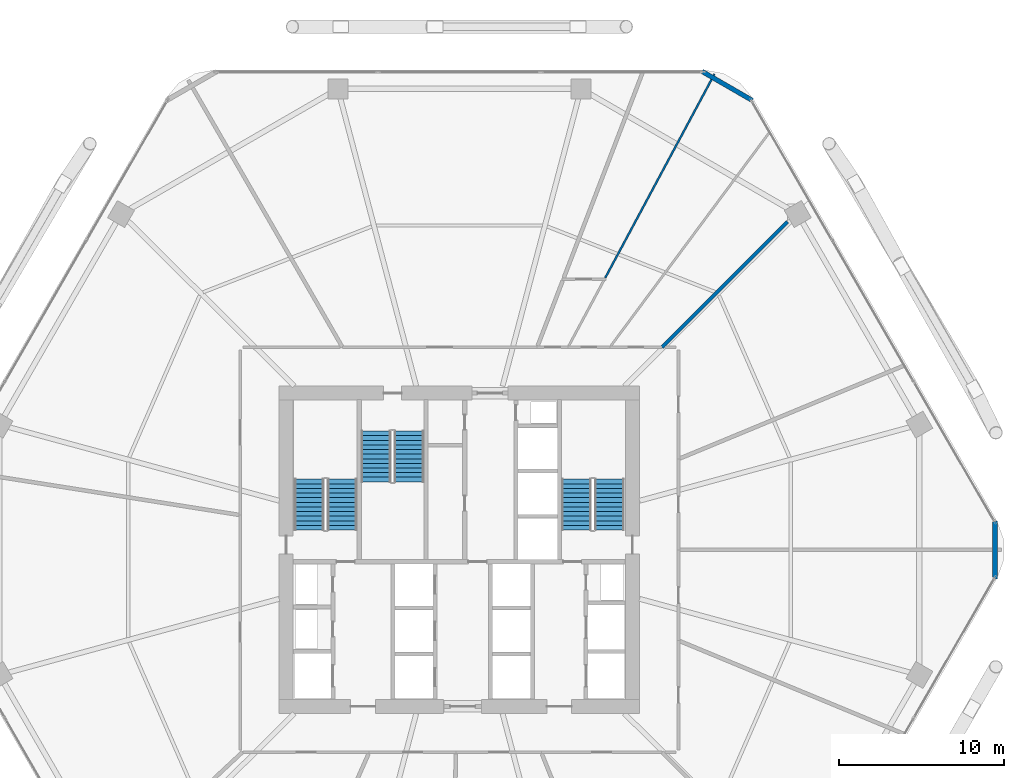
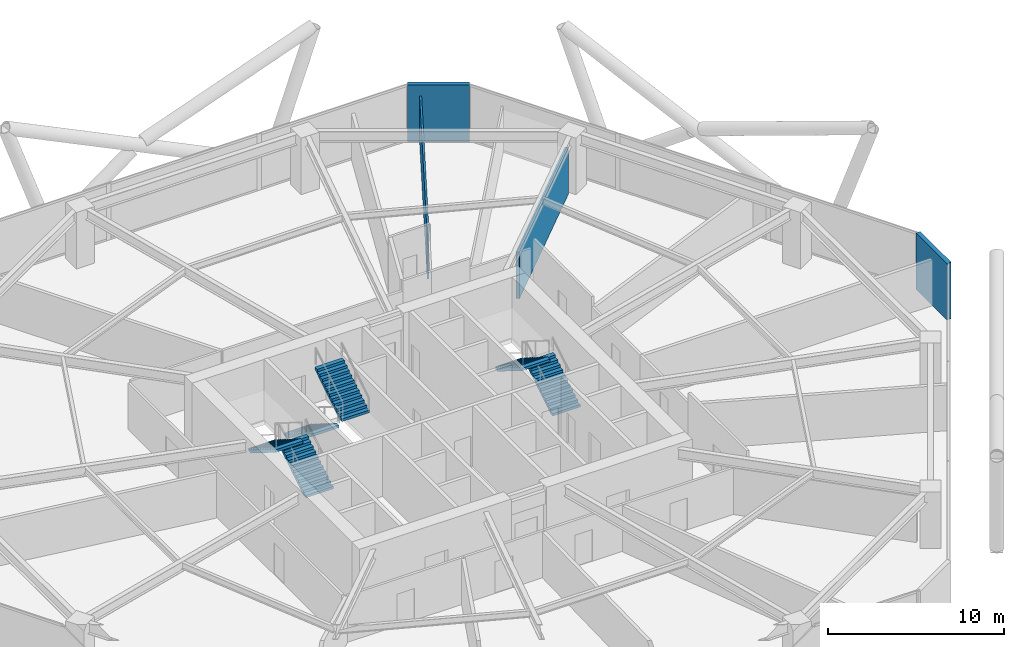
# One storey, part 27 of 28: 6 stair flights, 4 walls, 3 elements without a shape of their own.
"""IFC4 building model written with IfcOpenShell, lengths in metres."""

import ifcopenshell
import ifcopenshell.guid

model = None  # the IFC model being written
_history = None  # IfcOwnerHistory: only IFC2X3 demands one
_inside = {}  # id of a spatial element -> (the spatial element, [elements in it])
_under = {}  # id of a project, library or spatial element -> (it, [spatial elements below it])
_declared = {}  # id of a project -> (the project, [libraries it declares])
_typed = {}  # id of a type object -> (the type object, [elements of that type])
_made_of = {}  # id of a material, layer set ... -> (it, [elements and type objects made of it])


def new_model(schema):
    """Start an empty IFC model of exactly this schema.

    Asked for "IFC4X3", IfcOpenShell would pick the latest addendum, in which some entities
    have other attributes; the version numbers below select the first issue.
    IFC2X3 requires an IfcOwnerHistory on every rooted entity: one is made here for all.
    """
    global model, _history
    if schema == "IFC4X3":
        model = ifcopenshell.file(schema_version=(4, 3, 0, 0))
    else:
        model = ifcopenshell.file(schema=schema)
    _inside.clear()
    _under.clear()
    _declared.clear()
    _typed.clear()
    _made_of.clear()
    _history = None
    if model.schema == "IFC2X3":
        org = make("IfcOrganization", Name="unknown")
        user = make(
            "IfcPersonAndOrganization",
            ThePerson=make("IfcPerson", FamilyName="unknown"),
            TheOrganization=org,
        )
        app = make(
            "IfcApplication",
            ApplicationDeveloper=org,
            Version="unknown",
            ApplicationFullName="unknown",
            ApplicationIdentifier="unknown",
        )
        _history = make(
            "IfcOwnerHistory",
            OwningUser=user,
            OwningApplication=app,
            ChangeAction="ADDED",
            CreationDate=0,
        )
    return model


def make(cls, **values):
    """One entity of the class cls with the attributes given. An attribute that is None is left unset."""
    return model.create_entity(
        cls, **{name: value for name, value in values.items() if value is not None}
    )


def rooted(cls, **values):
    """An entity with a GlobalId (a new one), such as an element, a storey or a relation."""
    return make(cls, GlobalId=ifcopenshell.guid.new(), OwnerHistory=_history, **values)


def si_unit(unit_type, name, prefix=None):
    """IfcSIUnit, for example si_unit("LENGTHUNIT", "METRE", prefix="MILLI")."""
    return make("IfcSIUnit", UnitType=unit_type, Prefix=prefix, Name=name)


def assignment(units):
    """IfcUnitAssignment: the units of a project."""
    return None if units is None else make("IfcUnitAssignment", Units=units)


def point(xyz):
    """IfcCartesianPoint."""
    return None if xyz is None else make("IfcCartesianPoint", Coordinates=xyz)


def direction(xyz):
    """IfcDirection."""
    return None if xyz is None else make("IfcDirection", DirectionRatios=xyz)


def frame(location, z_axis=None, x_axis=None):
    """IfcAxis2Placement3D, a coordinate frame: its origin and axes. An axis left out is left unset."""
    return make(
        "IfcAxis2Placement3D",
        Location=point(location),
        Axis=direction(z_axis),
        RefDirection=direction(x_axis),
    )


def frame_2d(location, x_axis=None):
    """IfcAxis2Placement2D, a coordinate frame in the plane: its origin and x axis."""
    return make(
        "IfcAxis2Placement2D", Location=point(location), RefDirection=direction(x_axis)
    )


def origin():
    """The frame at (0, 0, 0) with its axes left unset."""
    return frame((0.0, 0.0, 0.0))


def place(relative_to, where):
    """IfcLocalPlacement: puts the frame where relative to a parent placement (None: the world)."""
    return make(
        "IfcLocalPlacement", PlacementRelTo=relative_to, RelativePlacement=where
    )


def context(
    kind, dimensions, precision=None, world=None, true_north=None, identifier=None
):
    """IfcGeometricRepresentationContext, for example the 3D "Model" context."""
    return make(
        "IfcGeometricRepresentationContext",
        ContextIdentifier=identifier,
        ContextType=kind,
        CoordinateSpaceDimension=dimensions,
        Precision=precision,
        WorldCoordinateSystem=world,
        TrueNorth=true_north,
    )


def subcontext(parent, identifier, kind, view, scale=None):
    """IfcGeometricRepresentationSubContext, for example "Body" below "Model"."""
    return make(
        "IfcGeometricRepresentationSubContext",
        ContextIdentifier=identifier,
        ContextType=kind,
        ParentContext=parent,
        TargetScale=scale,
        TargetView=view,
    )


def project(units=None, contexts=None):
    """IfcProject with its units and contexts."""
    return rooted(
        "IfcProject",
        Name="project",
        RepresentationContexts=contexts,
        UnitsInContext=assignment(units),
    )


def spatial(cls, under=None, at=None, **own):
    """A site, building, storey or space (cls), placed at a placement, below another one or the project."""
    s = rooted(cls, ObjectPlacement=at, **own)
    if under is not None:
        _under.setdefault(under.id(), (under, []))[1].append(s)
    return s


def polyline(points):
    """IfcPolyline through the points."""
    return make("IfcPolyline", Points=[point(p) for p in points])


def profile(cls, at=None, kind="AREA", **sizes):
    """A parametric profile (cls). Its sizes go by their IFC names, for example OverallWidth=200.0."""
    return make(cls, ProfileType=kind, Position=at, **sizes)


def rectangle(**sizes):
    """IfcRectangleProfileDef."""
    return profile("IfcRectangleProfileDef", **sizes)


def outline(outer, holes=None, kind="AREA"):
    """IfcArbitraryClosedProfileDef: a profile drawn as a closed curve; with holes, ...WithVoids."""
    if holes is None:
        return make("IfcArbitraryClosedProfileDef", ProfileType=kind, OuterCurve=outer)
    return make(
        "IfcArbitraryProfileDefWithVoids",
        ProfileType=kind,
        OuterCurve=outer,
        InnerCurves=holes,
    )


def extrude(swept, where, along, depth):
    """IfcExtrudedAreaSolid: the profile swept, set in the frame where, extruded along a direction by depth."""
    return make(
        "IfcExtrudedAreaSolid",
        SweptArea=swept,
        Position=where,
        ExtrudedDirection=direction(along),
        Depth=depth,
    )


def shape(context_of_items, identifier, shape_type, items):
    """IfcShapeRepresentation: the items that make up one representation, for example the "Body"."""
    return make(
        "IfcShapeRepresentation",
        ContextOfItems=context_of_items,
        RepresentationIdentifier=identifier,
        RepresentationType=shape_type,
        Items=items,
    )


def material(Name=None, Category=None):
    """IfcMaterial."""
    return make("IfcMaterial", Name=Name, Category=Category)


def layer(
    of_material, thickness, ventilated=None, Name=None, Category=None, Priority=None
):
    """IfcMaterialLayer: one layer of a wall or slab, of a material (None: an air gap)."""
    return make(
        "IfcMaterialLayer",
        Material=of_material,
        LayerThickness=thickness,
        IsVentilated=ventilated,
        Name=Name,
        Category=Category,
        Priority=Priority,
    )


def layer_set(layers, Name=None):
    """IfcMaterialLayerSet."""
    return make("IfcMaterialLayerSet", MaterialLayers=layers, LayerSetName=Name)


def made_of(thing, what):
    """Note that an element or type object is made of a material, layer set ...; save() writes the relation."""
    if what is not None:
        _made_of.setdefault(what.id(), (what, []))[1].append(thing)
    return thing


def type_object(cls, material=None, **own):
    """A type object (cls), such as IfcWallType, which elements share."""
    return made_of(rooted(cls, **own), material)


def element(
    cls,
    number,
    at=None,
    inside=None,
    cuts=None,
    type_object=None,
    material=None,
    context=None,
    identifier="Body",
    shape_type=None,
    held_by="IfcProductDefinitionShape",
    body=None,
    shapes=None,
    **own,
):
    """One element of the class cls, such as IfcWall. Its Tag is "e" and its number.

    at: its placement. inside: the storey or other place that contains it. cuts: it is an
    opening in that element (IfcRelVoidsElement). A single representation is given by context,
    identifier, shape_type and body (its items); several are given by shapes. held_by: the class
    of the entity that holds the representations. save() writes the other relations.
    """
    e = rooted(cls, Tag="e%d" % number, ObjectPlacement=at, **own)
    if body is not None:
        shapes = [shape(context, identifier, shape_type, body)]
    if shapes is not None:
        e.Representation = make(held_by, Representations=shapes)
    if inside is not None:
        _inside.setdefault(inside.id(), (inside, []))[1].append(e)
    if cuts is not None:
        rooted(
            "IfcRelVoidsElement", RelatingBuildingElement=cuts, RelatedOpeningElement=e
        )
    if type_object is not None:
        _typed.setdefault(type_object.id(), (type_object, []))[1].append(e)
    return made_of(e, material)


def aggregate(whole, parts):
    """IfcRelAggregates: a whole, such as a stair, and the parts it consists of."""
    return rooted("IfcRelAggregates", RelatingObject=whole, RelatedObjects=parts)


def save(model, path):
    """Write the relations noted so far, then the file.

    IfcRelAggregates (storeys below a building ...), IfcRelContainedInSpatialStructure (elements
    in a storey), IfcRelDefinesByType, IfcRelAssociatesMaterial and IfcRelDeclares: one each for
    every whole, place, type object, material and project.
    """
    for whole, parts in _under.values():
        aggregate(whole, parts)
    for where, things in _inside.values():
        rooted(
            "IfcRelContainedInSpatialStructure",
            RelatedElements=things,
            RelatingStructure=where,
        )
    for kind, things in _typed.values():
        rooted("IfcRelDefinesByType", RelatedObjects=things, RelatingType=kind)
    for what, things in _made_of.values():
        rooted("IfcRelAssociatesMaterial", RelatedObjects=things, RelatingMaterial=what)
    for by, libraries in _declared.values():
        rooted("IfcRelDeclares", RelatingContext=by, RelatedDefinitions=libraries)
    model.write(path)


model = new_model("IFC4")

# Units and contexts
model_context = context("Model", 3, precision=1e-05, world=origin(), true_north=direction((0.0, 1.0)))
body_context = subcontext(model_context, "Body", "Model", "MODEL_VIEW")
ifc_project = project(units=[si_unit("LENGTHUNIT", "METRE"), si_unit("AREAUNIT", "SQUARE_METRE"), si_unit("VOLUMEUNIT", "CUBIC_METRE"), si_unit("PLANEANGLEUNIT", "RADIAN"), si_unit("MASSUNIT", "GRAM", prefix="KILO")], contexts=[model_context])

# Site, building, storey
site_placement = place(None, origin())
site = spatial("IfcSite", under=ifc_project, at=site_placement, CompositionType="ELEMENT")
building_placement = place(site_placement, origin())
building = spatial("IfcBuilding", under=site, at=building_placement, Name="Zuhravey Tower", CompositionType="ELEMENT")
storey_placement = place(building_placement, frame((0.0, 0.0, 66.60009765625)))
storey = spatial("IfcBuildingStorey", under=building, at=storey_placement, Name="L16", CompositionType="ELEMENT", Elevation=66.60009765625)

# Walls
ifc_material_1 = material(Name="Precast concrete C40/50", Category="concrete")
ifc_layer_1 = layer(ifc_material_1, 0.280029296875)
ifc_layer_set_1 = layer_set([ifc_layer_1], Name="Precast concrete C40/50")
wall_type_1 = type_object("IfcWallType", Name="Crown Architectural Wall 280", PredefinedType="SOLIDWALL", material=ifc_layer_set_1)
wall_1_placement = place(storey_placement, frame((50.71728515625, 61.006103515625, 0.0), z_axis=(0.0, 0.0, 1.0), x_axis=(0.866007452331, -0.500031091541, 0.0)))
element("IfcWall", 1, at=wall_1_placement, inside=storey, type_object=wall_type_1, Name="L16 Rounded Corner Closure Wall EW28-10", PredefinedType="SOLIDWALL", context=body_context, shape_type="SweptSolid", body=[
    extrude(rectangle(XDim=3.514892578125, YDim=0.280029296875, at=frame_2d((1.75732421875, 0.0))), origin(), (0.0, 0.0, 1.0), 3.919921875),
])
wall_2_placement = place(storey_placement, frame((68.478515625, 33.757568359375, 0.0), z_axis=(0.0, 0.0, 1.0), x_axis=(0.0, -1.0, 0.0)))
element("IfcWall", 2, at=wall_2_placement, inside=storey, type_object=wall_type_1, Name="L16 Rounded Corner Closure Wall EW28-12", PredefinedType="SOLIDWALL", context=body_context, shape_type="SweptSolid", body=[
    extrude(rectangle(XDim=3.51513671875, YDim=0.280029296875, at=frame_2d((1.757568359375, 0.0))), origin(), (0.0, 0.0, 1.0), 3.919921875),
])
ifc_material_2 = material(Name="Gypsum acoustic stud assembly")
ifc_layer_2 = layer(ifc_material_2, 0.219970703125)
ifc_layer_set_2 = layer_set([ifc_layer_2], Name="Gypsum acoustic stud assembly")
wall_type_2 = type_object("IfcWallType", Name="School Acoustic Compartment Wall 220", PredefinedType="PARTITIONING", material=ifc_layer_set_2)
wall_3_placement = place(storey_placement, frame((48.284912109375, 44.284912109375, 0.0), z_axis=(0.0, 0.0, 1.0), x_axis=(0.707106781187, 0.707106781187, 0.0)))
element("IfcWall", 3, at=wall_3_placement, inside=storey, type_object=wall_type_2, Name="L16 IW22 Partition 042", PredefinedType="PARTITIONING", context=body_context, shape_type="SweptSolid", body=[
    extrude(rectangle(XDim=10.767822265625, YDim=0.219970703125, at=frame_2d((5.3837890625, 0.0))), origin(), (0.0, 0.0, 1.0), 3.219970703125),
])
ifc_material_3 = material(Name="Gypsum metal-stud partition")
ifc_layer_3 = layer(ifc_material_3, 0.1201171875)
ifc_layer_set_3 = layer_set([ifc_layer_3], Name="Gypsum metal-stud partition")
wall_type_3 = type_object("IfcWallType", Name="Unit Internal Partition 120", PredefinedType="PARTITIONING", material=ifc_layer_set_3)
wall_4_placement = place(storey_placement, frame((44.843505859375, 48.492919921875, 0.0), z_axis=(0.0, 0.0, 1.0), x_axis=(0.472553457508, 0.881302008279, 0.0)))
element("IfcWall", 4, at=wall_4_placement, inside=storey, type_object=wall_type_3, Name="L16 IW12 Partition 045", PredefinedType="PARTITIONING", context=body_context, shape_type="SweptSolid", body=[
    extrude(rectangle(XDim=14.015869140625, YDim=0.1201171875, at=frame_2d((7.0078125, 0.0))), origin(), (0.0, 0.0, 1.0), 3.169921875),
])

# Stair, stair flights
ifc_material_4 = material(Name="Concrete C40/50", Category="concrete")
stair_type = type_object("IfcStairType", Name="School Storey Stair Assembly 4200", PredefinedType="HALF_TURN_STAIR", material=ifc_material_4)
stair_1_placement = place(storey_placement, origin())
stair_1 = element("IfcStair", 5, at=stair_1_placement, inside=storey, type_object=stair_type, Name="L16 Core Exit Stair ST1", PredefinedType="HALF_TURN_STAIR")
stair_flight_type = type_object("IfcStairFlightType", Name="School Storey Stair Flight 4200", PredefinedType="STRAIGHT", material=ifc_material_4)
stair_flight_1_placement = place(storey_placement, frame((28.89990234375, 33.199951171875, 0.0), z_axis=(0.0, 0.0, 1.0), x_axis=(0.0, 1.0, 0.0)))
stair_flight_1 = element("IfcStairFlight", 6, at=stair_flight_1_placement, type_object=stair_flight_type, Name="ST1 flight 1", NumberOfRisers=12, NumberOfTreads=11, PredefinedType="STRAIGHT", RiserHeight=0.175, TreadLength=0.28, context=body_context, shape_type="SweptSolid", body=[
    extrude(outline(polyline([(0.0, 0.0), (0.0, 0.175048828125), (0.280029296875, 0.175048828125), (0.280029296875, 0.35009765625), (0.56005859375, 0.35009765625), (0.56005859375, 0.52490234375), (0.840087890625, 0.52490234375), (0.840087890625, 0.699951171875), (1.1201171875, 0.699951171875), (1.1201171875, 0.875), (1.39990234375, 0.875), (1.39990234375, 1.050048828125), (1.679931640625, 1.050048828125), (1.679931640625, 1.22509765625), (1.9599609375, 1.22509765625), (1.9599609375, 1.39990234375), (2.239990234375, 1.39990234375), (2.239990234375, 1.574951171875), (2.52001953125, 1.574951171875), (2.52001953125, 1.75), (2.800048828125, 1.75), (2.800048828125, 1.925048828125), (3.080078125, 1.925048828125), (3.080078125, 2.10009765625), (3.080078125, 1.748291015625), (0.28271484375, 0.0), (0.0, 0.0)])), frame((0.0, 0.89990234375, 0.0), z_axis=(0.0, -1.0, 0.0), x_axis=(1.0, 0.0, 0.0)), (0.0, 0.0, 1.0), 1.800048828125),
])
stair_flight_2_placement = place(storey_placement, frame((26.89990234375, 36.280029296875, 2.099853515625), z_axis=(0.0, 0.0, 1.0), x_axis=(0.0, -1.0, 0.0)))
stair_flight_2 = element("IfcStairFlight", 7, at=stair_flight_2_placement, type_object=stair_flight_type, Name="ST1 flight 2", NumberOfRisers=12, NumberOfTreads=11, PredefinedType="STRAIGHT", RiserHeight=0.175, TreadLength=0.28, context=body_context, shape_type="SweptSolid", body=[
    extrude(outline(polyline([(0.0, 0.0), (0.0, 0.175048828125), (0.280029296875, 0.175048828125), (0.280029296875, 0.35009765625), (0.56005859375, 0.35009765625), (0.56005859375, 0.52490234375), (0.840087890625, 0.52490234375), (0.840087890625, 0.699951171875), (1.1201171875, 0.699951171875), (1.1201171875, 0.875), (1.39990234375, 0.875), (1.39990234375, 1.050048828125), (1.679931640625, 1.050048828125), (1.679931640625, 1.22509765625), (1.9599609375, 1.22509765625), (1.9599609375, 1.39990234375), (2.239990234375, 1.39990234375), (2.239990234375, 1.574951171875), (2.52001953125, 1.574951171875), (2.52001953125, 1.75), (2.800048828125, 1.75), (2.800048828125, 1.925048828125), (3.080078125, 1.925048828125), (3.080078125, 2.10009765625), (3.080078125, 1.748291015625), (0.28271484375, 0.0), (0.0, 0.0)])), frame((0.0, 0.89990234375, 0.0), z_axis=(0.0, -1.0, 0.0), x_axis=(1.0, 0.0, 0.0)), (0.0, 0.0, 1.0), 1.800048828125),
])
aggregate(stair_1, [stair_flight_1, stair_flight_2])

stair_2_placement = place(storey_placement, origin())
stair_2 = element("IfcStair", 8, at=stair_2_placement, inside=storey, type_object=stair_type, Name="L16 Core Exit Stair ST2", PredefinedType="HALF_TURN_STAIR")
stair_flight_3_placement = place(storey_placement, frame((45.10009765625, 33.199951171875, 0.0), z_axis=(0.0, 0.0, 1.0), x_axis=(0.0, 1.0, 0.0)))
stair_flight_3 = element("IfcStairFlight", 9, at=stair_flight_3_placement, type_object=stair_flight_type, Name="ST2 flight 1", NumberOfRisers=12, NumberOfTreads=11, PredefinedType="STRAIGHT", RiserHeight=0.175, TreadLength=0.28, context=body_context, shape_type="SweptSolid", body=[
    extrude(outline(polyline([(0.0, 0.0), (0.0, 0.175048828125), (0.280029296875, 0.175048828125), (0.280029296875, 0.35009765625), (0.56005859375, 0.35009765625), (0.56005859375, 0.52490234375), (0.840087890625, 0.52490234375), (0.840087890625, 0.699951171875), (1.1201171875, 0.699951171875), (1.1201171875, 0.875), (1.39990234375, 0.875), (1.39990234375, 1.050048828125), (1.679931640625, 1.050048828125), (1.679931640625, 1.22509765625), (1.9599609375, 1.22509765625), (1.9599609375, 1.39990234375), (2.239990234375, 1.39990234375), (2.239990234375, 1.574951171875), (2.52001953125, 1.574951171875), (2.52001953125, 1.75), (2.800048828125, 1.75), (2.800048828125, 1.925048828125), (3.080078125, 1.925048828125), (3.080078125, 2.10009765625), (3.080078125, 1.748291015625), (0.28271484375, 0.0), (0.0, 0.0)])), frame((0.0, 0.89990234375, 0.0), z_axis=(0.0, -1.0, 0.0), x_axis=(1.0, 0.0, 0.0)), (0.0, 0.0, 1.0), 1.800048828125),
])
stair_flight_4_placement = place(storey_placement, frame((43.10009765625, 36.280029296875, 2.099853515625), z_axis=(0.0, 0.0, 1.0), x_axis=(0.0, -1.0, 0.0)))
stair_flight_4 = element("IfcStairFlight", 10, at=stair_flight_4_placement, type_object=stair_flight_type, Name="ST2 flight 2", NumberOfRisers=12, NumberOfTreads=11, PredefinedType="STRAIGHT", RiserHeight=0.175, TreadLength=0.28, context=body_context, shape_type="SweptSolid", body=[
    extrude(outline(polyline([(0.0, 0.0), (0.0, 0.175048828125), (0.280029296875, 0.175048828125), (0.280029296875, 0.35009765625), (0.56005859375, 0.35009765625), (0.56005859375, 0.52490234375), (0.840087890625, 0.52490234375), (0.840087890625, 0.699951171875), (1.1201171875, 0.699951171875), (1.1201171875, 0.875), (1.39990234375, 0.875), (1.39990234375, 1.050048828125), (1.679931640625, 1.050048828125), (1.679931640625, 1.22509765625), (1.9599609375, 1.22509765625), (1.9599609375, 1.39990234375), (2.239990234375, 1.39990234375), (2.239990234375, 1.574951171875), (2.52001953125, 1.574951171875), (2.52001953125, 1.75), (2.800048828125, 1.75), (2.800048828125, 1.925048828125), (3.080078125, 1.925048828125), (3.080078125, 2.10009765625), (3.080078125, 1.748291015625), (0.28271484375, 0.0), (0.0, 0.0)])), frame((0.0, 0.89990234375, 0.0), z_axis=(0.0, -1.0, 0.0), x_axis=(1.0, 0.0, 0.0)), (0.0, 0.0, 1.0), 1.800048828125),
])
aggregate(stair_2, [stair_flight_3, stair_flight_4])

stair_3_placement = place(storey_placement, origin())
stair_3 = element("IfcStair", 11, at=stair_3_placement, inside=storey, type_object=stair_type, Name="L16 Core Exit Stair ST3", PredefinedType="HALF_TURN_STAIR")
stair_flight_5_placement = place(storey_placement, frame((30.949951171875, 39.199951171875, 0.0), z_axis=(0.0, 0.0, 1.0), x_axis=(0.0, -1.0, 0.0)))
stair_flight_5 = element("IfcStairFlight", 12, at=stair_flight_5_placement, type_object=stair_flight_type, Name="ST3 flight 1", NumberOfRisers=12, NumberOfTreads=11, PredefinedType="STRAIGHT", RiserHeight=0.175, TreadLength=0.28, context=body_context, shape_type="SweptSolid", body=[
    extrude(outline(polyline([(0.0, 0.0), (0.0, 0.175048828125), (0.280029296875, 0.175048828125), (0.280029296875, 0.35009765625), (0.56005859375, 0.35009765625), (0.56005859375, 0.52490234375), (0.840087890625, 0.52490234375), (0.840087890625, 0.699951171875), (1.1201171875, 0.699951171875), (1.1201171875, 0.875), (1.39990234375, 0.875), (1.39990234375, 1.050048828125), (1.679931640625, 1.050048828125), (1.679931640625, 1.22509765625), (1.9599609375, 1.22509765625), (1.9599609375, 1.39990234375), (2.239990234375, 1.39990234375), (2.239990234375, 1.574951171875), (2.52001953125, 1.574951171875), (2.52001953125, 1.75), (2.800048828125, 1.75), (2.800048828125, 1.925048828125), (3.080078125, 1.925048828125), (3.080078125, 2.10009765625), (3.080078125, 1.748291015625), (0.28271484375, 0.0), (0.0, 0.0)])), frame((0.0, 0.89990234375, 0.0), z_axis=(0.0, -1.0, 0.0), x_axis=(1.0, 0.0, 0.0)), (0.0, 0.0, 1.0), 1.800048828125),
])
stair_flight_6_placement = place(storey_placement, frame((32.949951171875, 36.1201171875, 2.099853515625), z_axis=(0.0, 0.0, 1.0), x_axis=(0.0, 1.0, 0.0)))
stair_flight_6 = element("IfcStairFlight", 13, at=stair_flight_6_placement, type_object=stair_flight_type, Name="ST3 flight 2", NumberOfRisers=12, NumberOfTreads=11, PredefinedType="STRAIGHT", RiserHeight=0.175, TreadLength=0.28, context=body_context, shape_type="SweptSolid", body=[
    extrude(outline(polyline([(0.0, 0.0), (0.0, 0.175048828125), (0.280029296875, 0.175048828125), (0.280029296875, 0.35009765625), (0.56005859375, 0.35009765625), (0.56005859375, 0.52490234375), (0.840087890625, 0.52490234375), (0.840087890625, 0.699951171875), (1.1201171875, 0.699951171875), (1.1201171875, 0.875), (1.39990234375, 0.875), (1.39990234375, 1.050048828125), (1.679931640625, 1.050048828125), (1.679931640625, 1.22509765625), (1.9599609375, 1.22509765625), (1.9599609375, 1.39990234375), (2.239990234375, 1.39990234375), (2.239990234375, 1.574951171875), (2.52001953125, 1.574951171875), (2.52001953125, 1.75), (2.800048828125, 1.75), (2.800048828125, 1.925048828125), (3.080078125, 1.925048828125), (3.080078125, 2.10009765625), (3.080078125, 1.748291015625), (0.28271484375, 0.0), (0.0, 0.0)])), frame((0.0, 0.89990234375, 0.0), z_axis=(0.0, -1.0, 0.0), x_axis=(1.0, 0.0, 0.0)), (0.0, 0.0, 1.0), 1.800048828125),
])
aggregate(stair_3, [stair_flight_5, stair_flight_6])

save(model, "model.ifc")
